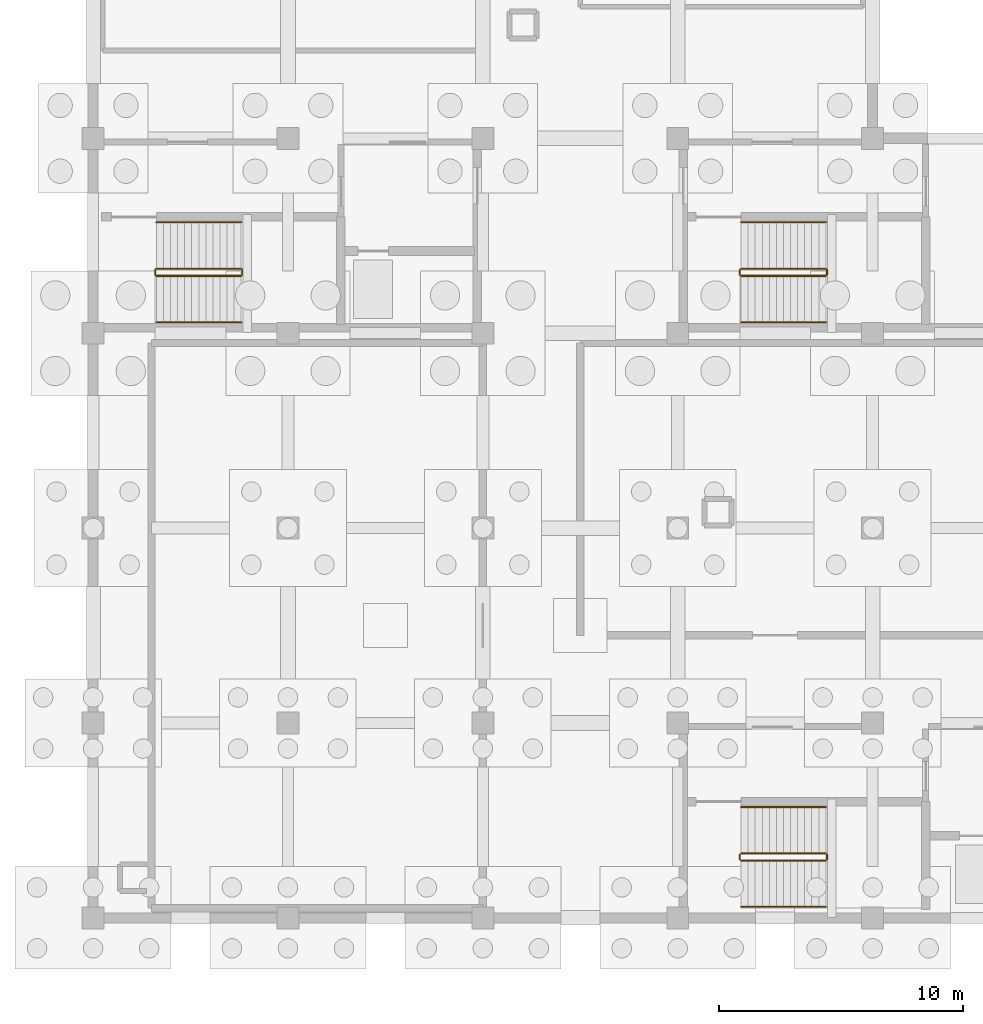
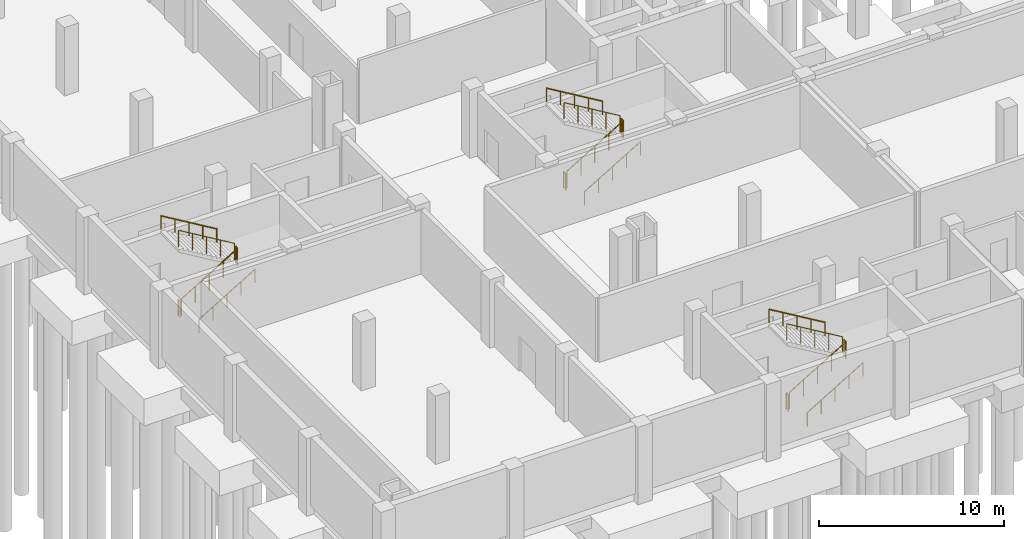
# One storey, part 20 of 26: 18 railings.
"""IFC4 building model written with IfcOpenShell, lengths in metres."""

from ifc_helpers import new_model, si_unit, direction, frame, origin, origin_2d, place, context, subcontext, project, spatial, circle, extrude, material, type_object, element, save


model = new_model("IFC4")

# Units and contexts
model_context = context("Model", 3, precision=1e-05, world=origin(), true_north=direction((0.0, 1.0)))
body_context = subcontext(model_context, "Body", "Model", "MODEL_VIEW")
ifc_project = project(units=[si_unit("LENGTHUNIT", "METRE"), si_unit("AREAUNIT", "SQUARE_METRE"), si_unit("VOLUMEUNIT", "CUBIC_METRE"), si_unit("PLANEANGLEUNIT", "RADIAN"), si_unit("MASSUNIT", "GRAM", prefix="KILO")], contexts=[model_context])

# Site, building, storey
site_placement = place(None, origin())
site = spatial("IfcSite", under=ifc_project, at=site_placement, CompositionType="ELEMENT")
building_placement = place(site_placement, origin())
building = spatial("IfcBuilding", under=site, at=building_placement, Name="Qorikala Patio Media Centre", CompositionType="ELEMENT")
storey_placement = place(building_placement, frame((0.0, 0.0, -4.5)))
storey = spatial("IfcBuildingStorey", under=building, at=storey_placement, Name="B1", CompositionType="ELEMENT", Elevation=-4.5)

# Railings
ifc_material_1 = material(Name="Wrought Bronze and Steel S355", Category="steel")
railing_type_1 = type_object("IfcRailingType", Name="RL-GUARD-110", PredefinedType="GUARDRAIL", material=ifc_material_1)
railing_1_placement = place(storey_placement, frame((29.60009765625, 5.35009765625, 0.173095703125)))
element("IfcRailing", 1, at=railing_1_placement, inside=storey, type_object=railing_type_1, Name="B1 ST-1 stair guard 1", PredefinedType="GUARDRAIL", context=body_context, shape_type="SweptSolid", body=[
    extrude(circle(Radius=0.02392578125, at=origin_2d()), frame((0.0, 0.0, 1.076171875), z_axis=(0.858697190188, 0.0, 0.512483302717), x_axis=(0.0, 1.0, 0.0)), (0.0, 0.0, 1.0), 4.052734375),
    extrude(circle(Radius=0.02099609375, at=origin_2d()), origin(), (0.0, 0.0, 1.0), 1.052001953125),
    extrude(circle(Radius=0.02099609375, at=origin_2d()), frame((0.8701171875, 0.0, 0.519287109375)), (0.0, 0.0, 1.0), 1.052001953125),
    extrude(circle(Radius=0.02099609375, at=origin_2d()), frame((1.739990234375, 0.0, 1.03857421875)), (0.0, 0.0, 1.0), 1.052001953125),
    extrude(circle(Radius=0.02099609375, at=origin_2d()), frame((2.60986328125, 0.0, 1.5576171875)), (0.0, 0.0, 1.0), 1.052001953125),
    extrude(circle(Radius=0.02099609375, at=origin_2d()), frame((3.47998046875, 0.0, 2.076904296875)), (0.0, 0.0, 1.0), 1.052001953125),
])
railing_2_placement = place(storey_placement, frame((33.1298828125, 5.39990234375, 2.25)))
element("IfcRailing", 2, at=railing_2_placement, inside=storey, type_object=railing_type_1, Name="B1 ST-1 stair guard 2", PredefinedType="GUARDRAIL", context=body_context, shape_type="SweptSolid", body=[
    extrude(circle(Radius=0.02392578125, at=origin_2d()), frame((0.0, 0.0, 1.076171875), z_axis=(0.0, 1.0, 0.0), x_axis=(-1.0, 0.0, 0.0)), (0.0, 0.0, 1.0), 0.2001953125),
    extrude(circle(Radius=0.02099609375, at=origin_2d()), origin(), (0.0, 0.0, 1.0), 1.052001953125),
    extrude(circle(Radius=0.02099609375, at=origin_2d()), frame((0.0, 0.2001953125, 0.0)), (0.0, 0.0, 1.0), 1.052001953125),
])
railing_3_placement = place(storey_placement, frame((33.080078125, 5.64990234375, 2.423095703125)))
element("IfcRailing", 3, at=railing_3_placement, inside=storey, type_object=railing_type_1, Name="B1 ST-1 stair guard 3", PredefinedType="GUARDRAIL", context=body_context, shape_type="SweptSolid", body=[
    extrude(circle(Radius=0.02392578125, at=origin_2d()), frame((0.0, 0.0, 1.076171875), z_axis=(-0.858697190188, 0.0, 0.512483302717), x_axis=(0.0, -1.0, 0.0)), (0.0, 0.0, 1.0), 4.052734375),
    extrude(circle(Radius=0.02099609375, at=origin_2d()), origin(), (0.0, 0.0, 1.0), 1.052001953125),
    extrude(circle(Radius=0.02099609375, at=origin_2d()), frame((-0.8701171875, 0.0, 0.519287109375)), (0.0, 0.0, 1.0), 1.052001953125),
    extrude(circle(Radius=0.02099609375, at=origin_2d()), frame((-1.739990234375, 0.0, 1.03857421875)), (0.0, 0.0, 1.0), 1.052001953125),
    extrude(circle(Radius=0.02099609375, at=origin_2d()), frame((-2.60986328125, 0.0, 1.5576171875)), (0.0, 0.0, 1.0), 1.052001953125),
    extrude(circle(Radius=0.02099609375, at=origin_2d()), frame((-3.47998046875, 0.0, 2.076904296875)), (0.0, 0.0, 1.0), 1.052001953125),
])
railing_4_placement = place(storey_placement, frame((29.550048828125, 5.39990234375, 0.0)))
element("IfcRailing", 4, at=railing_4_placement, inside=storey, type_object=railing_type_1, Name="B1 ST-1 stair guard 4", PredefinedType="GUARDRAIL", context=body_context, shape_type="SweptSolid", body=[
    extrude(circle(Radius=0.02392578125, at=origin_2d()), frame((0.0, 0.0, 1.076171875), z_axis=(0.0, 1.0, 0.0), x_axis=(-1.0, 0.0, 0.0)), (0.0, 0.0, 1.0), 0.2001953125),
    extrude(circle(Radius=0.02099609375, at=origin_2d()), origin(), (0.0, 0.0, 1.0), 1.052001953125),
    extrude(circle(Radius=0.02099609375, at=origin_2d()), frame((0.0, 0.2001953125, 0.0)), (0.0, 0.0, 1.0), 1.052001953125),
])
railing_5_placement = place(storey_placement, frame((5.60009765625, 29.35009765625, 0.173095703125)))
element("IfcRailing", 5, at=railing_5_placement, inside=storey, type_object=railing_type_1, Name="B1 ST-2 stair guard 1", PredefinedType="GUARDRAIL", context=body_context, shape_type="SweptSolid", body=[
    extrude(circle(Radius=0.02392578125, at=origin_2d()), frame((0.0, 0.0, 1.076171875), z_axis=(0.858697190188, 0.0, 0.512483302717), x_axis=(0.0, 1.0, 0.0)), (0.0, 0.0, 1.0), 4.052734375),
    extrude(circle(Radius=0.02099609375, at=origin_2d()), origin(), (0.0, 0.0, 1.0), 1.052001953125),
    extrude(circle(Radius=0.02099609375, at=origin_2d()), frame((0.8701171875, 0.0, 0.519287109375)), (0.0, 0.0, 1.0), 1.052001953125),
    extrude(circle(Radius=0.02099609375, at=origin_2d()), frame((1.739990234375, 0.0, 1.03857421875)), (0.0, 0.0, 1.0), 1.052001953125),
    extrude(circle(Radius=0.02099609375, at=origin_2d()), frame((2.60986328125, 0.0, 1.5576171875)), (0.0, 0.0, 1.0), 1.052001953125),
    extrude(circle(Radius=0.02099609375, at=origin_2d()), frame((3.47998046875, 0.0, 2.076904296875)), (0.0, 0.0, 1.0), 1.052001953125),
])
railing_6_placement = place(storey_placement, frame((9.1298828125, 29.39990234375, 2.25)))
element("IfcRailing", 6, at=railing_6_placement, inside=storey, type_object=railing_type_1, Name="B1 ST-2 stair guard 2", PredefinedType="GUARDRAIL", context=body_context, shape_type="SweptSolid", body=[
    extrude(circle(Radius=0.02392578125, at=origin_2d()), frame((0.0, 0.0, 1.076171875), z_axis=(0.0, 1.0, 0.0), x_axis=(-1.0, 0.0, 0.0)), (0.0, 0.0, 1.0), 0.2001953125),
    extrude(circle(Radius=0.02099609375, at=origin_2d()), origin(), (0.0, 0.0, 1.0), 1.052001953125),
    extrude(circle(Radius=0.02099609375, at=origin_2d()), frame((0.0, 0.2001953125, 0.0)), (0.0, 0.0, 1.0), 1.052001953125),
])
railing_7_placement = place(storey_placement, frame((9.080078125, 29.64990234375, 2.423095703125)))
element("IfcRailing", 7, at=railing_7_placement, inside=storey, type_object=railing_type_1, Name="B1 ST-2 stair guard 3", PredefinedType="GUARDRAIL", context=body_context, shape_type="SweptSolid", body=[
    extrude(circle(Radius=0.02392578125, at=origin_2d()), frame((0.0, 0.0, 1.076171875), z_axis=(-0.858697190188, 0.0, 0.512483302717), x_axis=(0.0, -1.0, 0.0)), (0.0, 0.0, 1.0), 4.052734375),
    extrude(circle(Radius=0.02099609375, at=origin_2d()), origin(), (0.0, 0.0, 1.0), 1.052001953125),
    extrude(circle(Radius=0.02099609375, at=origin_2d()), frame((-0.8701171875, 0.0, 0.519287109375)), (0.0, 0.0, 1.0), 1.052001953125),
    extrude(circle(Radius=0.02099609375, at=origin_2d()), frame((-1.739990234375, 0.0, 1.03857421875)), (0.0, 0.0, 1.0), 1.052001953125),
    extrude(circle(Radius=0.02099609375, at=origin_2d()), frame((-2.60986328125, 0.0, 1.5576171875)), (0.0, 0.0, 1.0), 1.052001953125),
    extrude(circle(Radius=0.02099609375, at=origin_2d()), frame((-3.47998046875, 0.0, 2.076904296875)), (0.0, 0.0, 1.0), 1.052001953125),
])
railing_8_placement = place(storey_placement, frame((5.550048828125, 29.39990234375, 0.0)))
element("IfcRailing", 8, at=railing_8_placement, inside=storey, type_object=railing_type_1, Name="B1 ST-2 stair guard 4", PredefinedType="GUARDRAIL", context=body_context, shape_type="SweptSolid", body=[
    extrude(circle(Radius=0.02392578125, at=origin_2d()), frame((0.0, 0.0, 1.076171875), z_axis=(0.0, 1.0, 0.0), x_axis=(-1.0, 0.0, 0.0)), (0.0, 0.0, 1.0), 0.2001953125),
    extrude(circle(Radius=0.02099609375, at=origin_2d()), origin(), (0.0, 0.0, 1.0), 1.052001953125),
    extrude(circle(Radius=0.02099609375, at=origin_2d()), frame((0.0, 0.2001953125, 0.0)), (0.0, 0.0, 1.0), 1.052001953125),
])
railing_9_placement = place(storey_placement, frame((29.60009765625, 29.35009765625, 0.173095703125)))
element("IfcRailing", 9, at=railing_9_placement, inside=storey, type_object=railing_type_1, Name="B1 ST-5 stair guard 1", PredefinedType="GUARDRAIL", context=body_context, shape_type="SweptSolid", body=[
    extrude(circle(Radius=0.02392578125, at=origin_2d()), frame((0.0, 0.0, 1.076171875), z_axis=(0.858697190188, 0.0, 0.512483302717), x_axis=(0.0, 1.0, 0.0)), (0.0, 0.0, 1.0), 4.052734375),
    extrude(circle(Radius=0.02099609375, at=origin_2d()), origin(), (0.0, 0.0, 1.0), 1.052001953125),
    extrude(circle(Radius=0.02099609375, at=origin_2d()), frame((0.8701171875, 0.0, 0.519287109375)), (0.0, 0.0, 1.0), 1.052001953125),
    extrude(circle(Radius=0.02099609375, at=origin_2d()), frame((1.739990234375, 0.0, 1.03857421875)), (0.0, 0.0, 1.0), 1.052001953125),
    extrude(circle(Radius=0.02099609375, at=origin_2d()), frame((2.60986328125, 0.0, 1.5576171875)), (0.0, 0.0, 1.0), 1.052001953125),
    extrude(circle(Radius=0.02099609375, at=origin_2d()), frame((3.47998046875, 0.0, 2.076904296875)), (0.0, 0.0, 1.0), 1.052001953125),
])
railing_10_placement = place(storey_placement, frame((33.1298828125, 29.39990234375, 2.25)))
element("IfcRailing", 10, at=railing_10_placement, inside=storey, type_object=railing_type_1, Name="B1 ST-5 stair guard 2", PredefinedType="GUARDRAIL", context=body_context, shape_type="SweptSolid", body=[
    extrude(circle(Radius=0.02392578125, at=origin_2d()), frame((0.0, 0.0, 1.076171875), z_axis=(0.0, 1.0, 0.0), x_axis=(-1.0, 0.0, 0.0)), (0.0, 0.0, 1.0), 0.2001953125),
    extrude(circle(Radius=0.02099609375, at=origin_2d()), origin(), (0.0, 0.0, 1.0), 1.052001953125),
    extrude(circle(Radius=0.02099609375, at=origin_2d()), frame((0.0, 0.2001953125, 0.0)), (0.0, 0.0, 1.0), 1.052001953125),
])
railing_11_placement = place(storey_placement, frame((33.080078125, 29.64990234375, 2.423095703125)))
element("IfcRailing", 11, at=railing_11_placement, inside=storey, type_object=railing_type_1, Name="B1 ST-5 stair guard 3", PredefinedType="GUARDRAIL", context=body_context, shape_type="SweptSolid", body=[
    extrude(circle(Radius=0.02392578125, at=origin_2d()), frame((0.0, 0.0, 1.076171875), z_axis=(-0.858697190188, 0.0, 0.512483302717), x_axis=(0.0, -1.0, 0.0)), (0.0, 0.0, 1.0), 4.052734375),
    extrude(circle(Radius=0.02099609375, at=origin_2d()), origin(), (0.0, 0.0, 1.0), 1.052001953125),
    extrude(circle(Radius=0.02099609375, at=origin_2d()), frame((-0.8701171875, 0.0, 0.519287109375)), (0.0, 0.0, 1.0), 1.052001953125),
    extrude(circle(Radius=0.02099609375, at=origin_2d()), frame((-1.739990234375, 0.0, 1.03857421875)), (0.0, 0.0, 1.0), 1.052001953125),
    extrude(circle(Radius=0.02099609375, at=origin_2d()), frame((-2.60986328125, 0.0, 1.5576171875)), (0.0, 0.0, 1.0), 1.052001953125),
    extrude(circle(Radius=0.02099609375, at=origin_2d()), frame((-3.47998046875, 0.0, 2.076904296875)), (0.0, 0.0, 1.0), 1.052001953125),
])
railing_12_placement = place(storey_placement, frame((29.550048828125, 29.39990234375, 0.0)))
element("IfcRailing", 12, at=railing_12_placement, inside=storey, type_object=railing_type_1, Name="B1 ST-5 stair guard 4", PredefinedType="GUARDRAIL", context=body_context, shape_type="SweptSolid", body=[
    extrude(circle(Radius=0.02392578125, at=origin_2d()), frame((0.0, 0.0, 1.076171875), z_axis=(0.0, 1.0, 0.0), x_axis=(-1.0, 0.0, 0.0)), (0.0, 0.0, 1.0), 0.2001953125),
    extrude(circle(Radius=0.02099609375, at=origin_2d()), origin(), (0.0, 0.0, 1.0), 1.052001953125),
    extrude(circle(Radius=0.02099609375, at=origin_2d()), frame((0.0, 0.2001953125, 0.0)), (0.0, 0.0, 1.0), 1.052001953125),
])
ifc_material_2 = material(Name="Brushed Bronze Tubular Steel S355", Category="steel")
railing_type_2 = type_object("IfcRailingType", Name="RL-HAND-090", PredefinedType="HANDRAIL", material=ifc_material_2)
railing_13_placement = place(storey_placement, frame((29.60009765625, 3.449951171875, 0.173095703125)))
element("IfcRailing", 13, at=railing_13_placement, inside=storey, type_object=railing_type_2, Name="B1 ST-1 stair handrail 1", PredefinedType="HANDRAIL", context=body_context, shape_type="SweptSolid", body=[
    extrude(circle(Radius=0.02392578125, at=origin_2d()), frame((0.0, 0.0, 0.8759765625), z_axis=(0.858697190188, 0.0, 0.512483302717), x_axis=(0.0, 1.0, 0.0)), (0.0, 0.0, 1.0), 4.052734375),
    extrude(circle(Radius=0.02099609375, at=origin_2d()), origin(), (0.0, 0.0, 1.0), 0.851806640625),
    extrude(circle(Radius=0.02099609375, at=origin_2d()), frame((0.8701171875, 0.0, 0.519287109375)), (0.0, 0.0, 1.0), 0.851806640625),
    extrude(circle(Radius=0.02099609375, at=origin_2d()), frame((1.739990234375, 0.0, 1.03857421875)), (0.0, 0.0, 1.0), 0.851806640625),
    extrude(circle(Radius=0.02099609375, at=origin_2d()), frame((2.60986328125, 0.0, 1.5576171875)), (0.0, 0.0, 1.0), 0.851806640625),
    extrude(circle(Radius=0.02099609375, at=origin_2d()), frame((3.47998046875, 0.0, 2.076904296875)), (0.0, 0.0, 1.0), 0.851806640625),
])
railing_14_placement = place(storey_placement, frame((33.080078125, 7.550048828125, 2.423095703125)))
element("IfcRailing", 14, at=railing_14_placement, inside=storey, type_object=railing_type_2, Name="B1 ST-1 stair handrail 2", PredefinedType="HANDRAIL", context=body_context, shape_type="SweptSolid", body=[
    extrude(circle(Radius=0.02392578125, at=origin_2d()), frame((0.0, 0.0, 0.8759765625), z_axis=(-0.858697190188, 0.0, 0.512483302717), x_axis=(0.0, -1.0, 0.0)), (0.0, 0.0, 1.0), 4.052734375),
    extrude(circle(Radius=0.02099609375, at=origin_2d()), origin(), (0.0, 0.0, 1.0), 0.851806640625),
    extrude(circle(Radius=0.02099609375, at=origin_2d()), frame((-0.8701171875, 0.0, 0.519287109375)), (0.0, 0.0, 1.0), 0.851806640625),
    extrude(circle(Radius=0.02099609375, at=origin_2d()), frame((-1.739990234375, 0.0, 1.03857421875)), (0.0, 0.0, 1.0), 0.851806640625),
    extrude(circle(Radius=0.02099609375, at=origin_2d()), frame((-2.60986328125, 0.0, 1.5576171875)), (0.0, 0.0, 1.0), 0.851806640625),
    extrude(circle(Radius=0.02099609375, at=origin_2d()), frame((-3.47998046875, 0.0, 2.076904296875)), (0.0, 0.0, 1.0), 0.851806640625),
])
railing_15_placement = place(storey_placement, frame((5.60009765625, 27.449951171875, 0.173095703125)))
element("IfcRailing", 15, at=railing_15_placement, inside=storey, type_object=railing_type_2, Name="B1 ST-2 stair handrail 1", PredefinedType="HANDRAIL", context=body_context, shape_type="SweptSolid", body=[
    extrude(circle(Radius=0.02392578125, at=origin_2d()), frame((0.0, 0.0, 0.8759765625), z_axis=(0.858697190188, 0.0, 0.512483302717), x_axis=(0.0, 1.0, 0.0)), (0.0, 0.0, 1.0), 4.052734375),
    extrude(circle(Radius=0.02099609375, at=origin_2d()), origin(), (0.0, 0.0, 1.0), 0.851806640625),
    extrude(circle(Radius=0.02099609375, at=origin_2d()), frame((0.8701171875, 0.0, 0.519287109375)), (0.0, 0.0, 1.0), 0.851806640625),
    extrude(circle(Radius=0.02099609375, at=origin_2d()), frame((1.739990234375, 0.0, 1.03857421875)), (0.0, 0.0, 1.0), 0.851806640625),
    extrude(circle(Radius=0.02099609375, at=origin_2d()), frame((2.60986328125, 0.0, 1.5576171875)), (0.0, 0.0, 1.0), 0.851806640625),
    extrude(circle(Radius=0.02099609375, at=origin_2d()), frame((3.47998046875, 0.0, 2.076904296875)), (0.0, 0.0, 1.0), 0.851806640625),
])
railing_16_placement = place(storey_placement, frame((9.080078125, 31.550048828125, 2.423095703125)))
element("IfcRailing", 16, at=railing_16_placement, inside=storey, type_object=railing_type_2, Name="B1 ST-2 stair handrail 2", PredefinedType="HANDRAIL", context=body_context, shape_type="SweptSolid", body=[
    extrude(circle(Radius=0.02392578125, at=origin_2d()), frame((0.0, 0.0, 0.8759765625), z_axis=(-0.858697190188, 0.0, 0.512483302717), x_axis=(0.0, -1.0, 0.0)), (0.0, 0.0, 1.0), 4.052734375),
    extrude(circle(Radius=0.02099609375, at=origin_2d()), origin(), (0.0, 0.0, 1.0), 0.851806640625),
    extrude(circle(Radius=0.02099609375, at=origin_2d()), frame((-0.8701171875, 0.0, 0.519287109375)), (0.0, 0.0, 1.0), 0.851806640625),
    extrude(circle(Radius=0.02099609375, at=origin_2d()), frame((-1.739990234375, 0.0, 1.03857421875)), (0.0, 0.0, 1.0), 0.851806640625),
    extrude(circle(Radius=0.02099609375, at=origin_2d()), frame((-2.60986328125, 0.0, 1.5576171875)), (0.0, 0.0, 1.0), 0.851806640625),
    extrude(circle(Radius=0.02099609375, at=origin_2d()), frame((-3.47998046875, 0.0, 2.076904296875)), (0.0, 0.0, 1.0), 0.851806640625),
])
railing_17_placement = place(storey_placement, frame((29.60009765625, 27.449951171875, 0.173095703125)))
element("IfcRailing", 17, at=railing_17_placement, inside=storey, type_object=railing_type_2, Name="B1 ST-5 stair handrail 1", PredefinedType="HANDRAIL", context=body_context, shape_type="SweptSolid", body=[
    extrude(circle(Radius=0.02392578125, at=origin_2d()), frame((0.0, 0.0, 0.8759765625), z_axis=(0.858697190188, 0.0, 0.512483302717), x_axis=(0.0, 1.0, 0.0)), (0.0, 0.0, 1.0), 4.052734375),
    extrude(circle(Radius=0.02099609375, at=origin_2d()), origin(), (0.0, 0.0, 1.0), 0.851806640625),
    extrude(circle(Radius=0.02099609375, at=origin_2d()), frame((0.8701171875, 0.0, 0.519287109375)), (0.0, 0.0, 1.0), 0.851806640625),
    extrude(circle(Radius=0.02099609375, at=origin_2d()), frame((1.739990234375, 0.0, 1.03857421875)), (0.0, 0.0, 1.0), 0.851806640625),
    extrude(circle(Radius=0.02099609375, at=origin_2d()), frame((2.60986328125, 0.0, 1.5576171875)), (0.0, 0.0, 1.0), 0.851806640625),
    extrude(circle(Radius=0.02099609375, at=origin_2d()), frame((3.47998046875, 0.0, 2.076904296875)), (0.0, 0.0, 1.0), 0.851806640625),
])
railing_18_placement = place(storey_placement, frame((33.080078125, 31.550048828125, 2.423095703125)))
element("IfcRailing", 18, at=railing_18_placement, inside=storey, type_object=railing_type_2, Name="B1 ST-5 stair handrail 2", PredefinedType="HANDRAIL", context=body_context, shape_type="SweptSolid", body=[
    extrude(circle(Radius=0.02392578125, at=origin_2d()), frame((0.0, 0.0, 0.8759765625), z_axis=(-0.858697190188, 0.0, 0.512483302717), x_axis=(0.0, -1.0, 0.0)), (0.0, 0.0, 1.0), 4.052734375),
    extrude(circle(Radius=0.02099609375, at=origin_2d()), origin(), (0.0, 0.0, 1.0), 0.851806640625),
    extrude(circle(Radius=0.02099609375, at=origin_2d()), frame((-0.8701171875, 0.0, 0.519287109375)), (0.0, 0.0, 1.0), 0.851806640625),
    extrude(circle(Radius=0.02099609375, at=origin_2d()), frame((-1.739990234375, 0.0, 1.03857421875)), (0.0, 0.0, 1.0), 0.851806640625),
    extrude(circle(Radius=0.02099609375, at=origin_2d()), frame((-2.60986328125, 0.0, 1.5576171875)), (0.0, 0.0, 1.0), 0.851806640625),
    extrude(circle(Radius=0.02099609375, at=origin_2d()), frame((-3.47998046875, 0.0, 2.076904296875)), (0.0, 0.0, 1.0), 0.851806640625),
])

save(model, "model.ifc")
